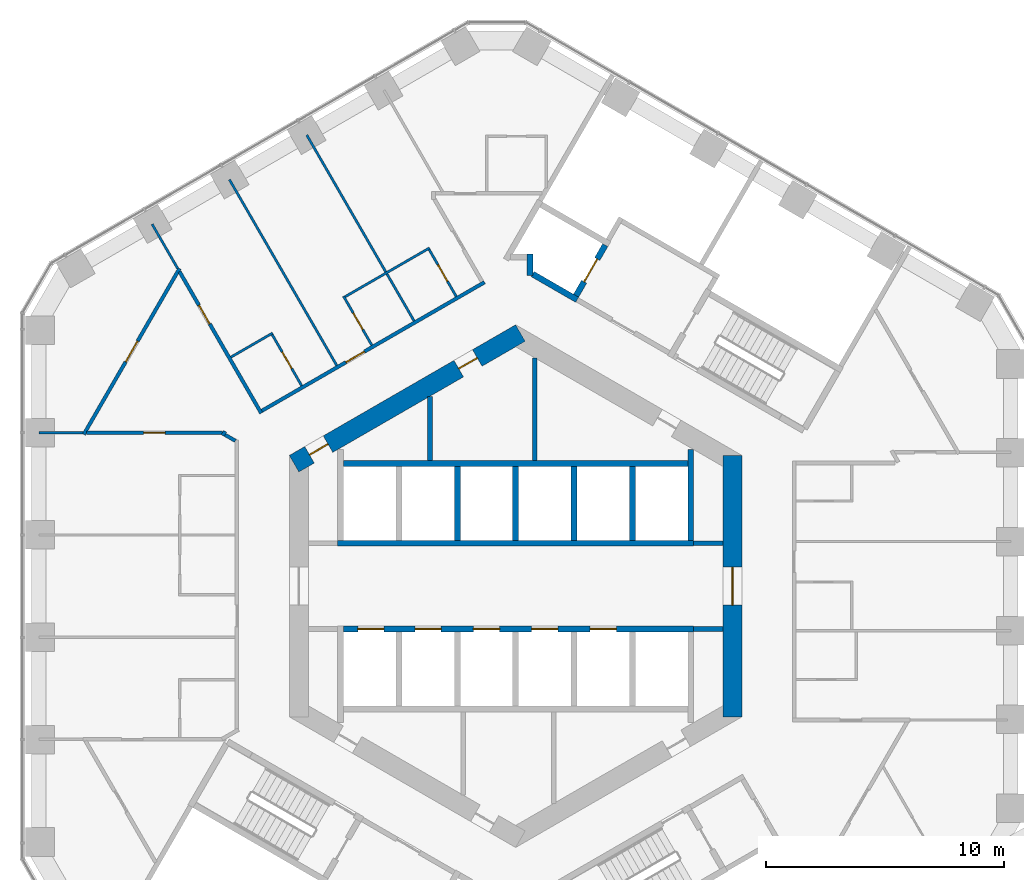
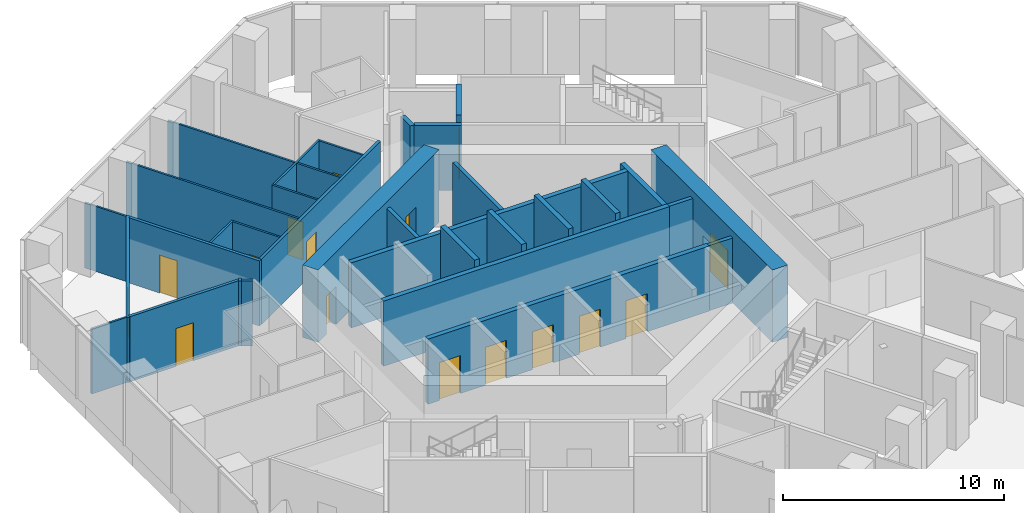
# One storey, part 20 of 27: 32 walls, 16 doors, 16 openings.
"""IFC4 building model written with IfcOpenShell, lengths in metres."""

from ifc_helpers import new_model, si_unit, direction, frame, frame_2d, origin, place, context, subcontext, project, spatial, rectangle, extrude, material, layer, layer_set, type_object, element, fill, save


model = new_model("IFC4")

# Units and contexts
model_context = context("Model", 3, precision=1e-05, world=origin(), true_north=direction((0.0, 1.0)))
body_context = subcontext(model_context, "Body", "Model", "MODEL_VIEW")
ifc_project = project(units=[si_unit("LENGTHUNIT", "METRE"), si_unit("AREAUNIT", "SQUARE_METRE"), si_unit("VOLUMEUNIT", "CUBIC_METRE"), si_unit("PLANEANGLEUNIT", "RADIAN"), si_unit("MASSUNIT", "GRAM", prefix="KILO")], contexts=[model_context])

# Site, building, storey
site_placement = place(None, origin())
site = spatial("IfcSite", under=ifc_project, at=site_placement, CompositionType="ELEMENT")
building_placement = place(site_placement, origin())
building = spatial("IfcBuilding", under=site, at=building_placement, Name="Ayvan Gate Tower", CompositionType="ELEMENT")
storey_placement = place(building_placement, frame((0.0, 0.0, 70.300048828125)))
storey = spatial("IfcBuildingStorey", under=building, at=storey_placement, Name="L18", CompositionType="ELEMENT", Elevation=70.300048828125)

# Wall, opening, door
ifc_material_1 = material(Name="Concrete C70/85", Category="concrete")
ifc_layer_1 = layer(ifc_material_1, 0.800048828125)
ifc_layer_set_1 = layer_set([ifc_layer_1], Name="Concrete C70/85")
wall_type_1 = type_object("IfcWallType", Name="Core wall 800 C70/85", PredefinedType="SHEAR", material=ifc_layer_set_1)
wall_1_placement = place(storey_placement, frame((9.10009765625, -5.48486328125, 0.0), z_axis=(0.0, 0.0, 1.0), x_axis=(0.0, 1.0, 0.0)))
wall_1 = element("IfcWall", 1, at=wall_1_placement, inside=storey, type_object=wall_type_1, Name="CORE-L18-0", PredefinedType="SHEAR", context=body_context, shape_type="SweptSolid", body=[
    extrude(rectangle(XDim=10.9697265625, YDim=0.800048828125, at=frame_2d((5.48486328125, 0.0))), origin(), (0.0, 0.0, 1.0), 4.0),
])
opening_1_placement = place(wall_1_placement, frame((4.684814453125, 0.0, 0.0)))
opening_1 = element("IfcOpeningElement", 2, at=opening_1_placement, cuts=wall_1, Name="Opening L18-D57", PredefinedType="OPENING", context=body_context, shape_type="SweptSolid", body=[
    extrude(rectangle(XDim=1.60009765625, YDim=2.10009765625, at=frame_2d((0.800048828125, 1.050048828125))), frame((0.0, 0.409912109375, 0.0), z_axis=(0.0, -1.0, 0.0), x_axis=(1.0, 0.0, 0.0)), (0.0, 0.0, 1.0), 0.820068359375),
])
ifc_material_2 = material(Name="Timber door leaf", Category="wood")
door_type_1 = type_object("IfcDoorType", Name="DT-1600", OperationType="NOTDEFINED", PredefinedType="DOOR", material=ifc_material_2)
door_1_placement = place(opening_1_placement, origin())
door_1 = element("IfcDoor", 3, at=door_1_placement, inside=storey, type_object=door_type_1, Name="CD-L18-57", OperationType="SINGLE_SWING_LEFT", OverallHeight=2.10009765625, OverallWidth=1.60009765625, PredefinedType="DOOR", context=body_context, shape_type="SweptSolid", body=[
    extrude(rectangle(XDim=1.60009765625, YDim=2.10009765625, at=frame_2d((0.800048828125, 1.050048828125))), frame((0.0, 0.02490234375, 0.0), z_axis=(0.0, -1.0, 0.0), x_axis=(1.0, 0.0, 0.0)), (0.0, 0.0, 1.0), 0.050048828125),
])
fill(opening_1, door_1)

# Wall, openings, doors
wall_2_placement = place(storey_placement, frame((0.199951171875, 10.623291015625, 0.0), z_axis=(0.0, 0.0, 1.0), x_axis=(-0.866023993627, -0.500002442456, 0.0)))
wall_2 = element("IfcWall", 4, at=wall_2_placement, inside=storey, type_object=wall_type_1, Name="CORE-L18-2", PredefinedType="SHEAR", context=body_context, shape_type="SweptSolid", body=[
    extrude(rectangle(XDim=10.9697265625, YDim=0.800048828125, at=frame_2d((5.48486328125, 0.0))), origin(), (0.0, 0.0, 1.0), 4.0),
])
opening_2_placement = place(wall_2_placement, frame((9.32470703125, 0.0, 0.0)))
opening_2 = element("IfcOpeningElement", 5, at=opening_2_placement, cuts=wall_2, Name="Opening L18-D51", PredefinedType="OPENING", context=body_context, shape_type="SweptSolid", body=[
    extrude(rectangle(XDim=0.89990234375, YDim=2.10009765625, at=frame_2d((0.449951171875, 1.050048828125))), frame((0.0, 0.409912109375, 0.0), z_axis=(0.0, -1.0, 0.0), x_axis=(1.0, 0.0, 0.0)), (0.0, 0.0, 1.0), 0.820068359375),
])
opening_3_placement = place(wall_2_placement, frame((2.0908203125, 0.0, 0.0)))
opening_3 = element("IfcOpeningElement", 6, at=opening_3_placement, cuts=wall_2, Name="Opening L18-D52", PredefinedType="OPENING", context=body_context, shape_type="SweptSolid", body=[
    extrude(rectangle(XDim=0.89990234375, YDim=2.10009765625, at=frame_2d((0.449951171875, 1.050048828125))), frame((0.0, 0.409912109375, 0.0), z_axis=(0.0, -1.0, 0.0), x_axis=(1.0, 0.0, 0.0)), (0.0, 0.0, 1.0), 0.820068359375),
])
door_type_2 = type_object("IfcDoorType", Name="DT-900", OperationType="NOTDEFINED", PredefinedType="DOOR", material=ifc_material_2)
door_2_placement = place(opening_2_placement, origin())
door_2 = element("IfcDoor", 7, at=door_2_placement, inside=storey, type_object=door_type_2, Name="CD-L18-51", OperationType="SINGLE_SWING_LEFT", OverallHeight=2.10009765625, OverallWidth=0.89990234375, PredefinedType="DOOR", context=body_context, shape_type="SweptSolid", body=[
    extrude(rectangle(XDim=0.89990234375, YDim=2.10009765625, at=frame_2d((0.449951171875, 1.050048828125))), frame((0.0, 0.02490234375, 0.0), z_axis=(0.0, -1.0, 0.0), x_axis=(1.0, 0.0, 0.0)), (0.0, 0.0, 1.0), 0.050048828125),
])
fill(opening_2, door_2)
door_3_placement = place(opening_3_placement, origin())
door_3 = element("IfcDoor", 8, at=door_3_placement, inside=storey, type_object=door_type_2, Name="CD-L18-52", OperationType="SINGLE_SWING_RIGHT", OverallHeight=2.10009765625, OverallWidth=0.89990234375, PredefinedType="DOOR", context=body_context, shape_type="SweptSolid", body=[
    extrude(rectangle(XDim=0.89990234375, YDim=2.10009765625, at=frame_2d((0.449951171875, 1.050048828125))), frame((0.0, 0.02490234375, 0.0), z_axis=(0.0, -1.0, 0.0), x_axis=(1.0, 0.0, 0.0)), (0.0, 0.0, 1.0), 0.050048828125),
])
fill(opening_3, door_3)

# Wall, opening, door
ifc_material_3 = material(Name="Plasterboard on steel stud", Category="steel")
ifc_layer_2 = layer(ifc_material_3, 0.14990234375)
ifc_layer_set_2 = layer_set([ifc_layer_2], Name="Plasterboard on steel stud")
wall_type_2 = type_object("IfcWallType", Name="WT-CORR-150", PredefinedType="PARTITIONING", material=ifc_layer_set_2)
wall_3_placement = place(storey_placement, frame((-18.1298828125, 6.36669921875, 0.0), z_axis=(0.0, 0.0, 1.0), x_axis=(0.499982653806, 0.866035418383, 0.0)))
wall_3 = element("IfcWall", 9, at=wall_3_placement, inside=storey, type_object=wall_type_2, Name="IW-L18-001", PredefinedType="PARTITIONING", context=body_context, shape_type="SweptSolid", body=[
    extrude(rectangle(XDim=8.040771484375, YDim=0.14990234375, at=frame_2d((4.0205078125, 0.0))), origin(), (0.0, 0.0, 1.0), 3.599853515625),
])
opening_4_placement = place(wall_3_placement, frame((3.5205078125, 0.0, 0.0)))
opening_4 = element("IfcOpeningElement", 10, at=opening_4_placement, cuts=wall_3, Name="Opening L18-D26", PredefinedType="OPENING", context=body_context, shape_type="SweptSolid", body=[
    extrude(rectangle(XDim=1.0, YDim=2.10009765625, at=frame_2d((0.5, 1.050048828125))), frame((0.0, 0.0849609375, 0.0), z_axis=(0.0, -1.0, 0.0), x_axis=(1.0, 0.0, 0.0)), (0.0, 0.0, 1.0), 0.169921875),
])
door_type_3 = type_object("IfcDoorType", Name="DT-1000", OperationType="NOTDEFINED", PredefinedType="DOOR", material=ifc_material_2)
door_4_placement = place(opening_4_placement, origin())
door_4 = element("IfcDoor", 11, at=door_4_placement, inside=storey, type_object=door_type_3, Name="ID-L18-026", OperationType="SINGLE_SWING_RIGHT", OverallHeight=2.10009765625, OverallWidth=1.0, PredefinedType="DOOR", context=body_context, shape_type="SweptSolid", body=[
    extrude(rectangle(XDim=1.0, YDim=2.10009765625, at=frame_2d((0.5, 1.050048828125))), frame((0.0, 0.02490234375, 0.0), z_axis=(0.0, -1.0, 0.0), x_axis=(1.0, 0.0, 0.0)), (0.0, 0.0, 1.0), 0.050048828125),
])
fill(opening_4, door_4)

wall_4_placement = place(storey_placement, frame((-14.109619140625, 13.200439453125, 0.0), z_axis=(0.0, 0.0, 1.0), x_axis=(0.500007857356, -0.866020867291, 0.0)))
wall_4 = element("IfcWall", 12, at=wall_4_placement, inside=storey, type_object=wall_type_2, Name="IW-L18-007", PredefinedType="PARTITIONING", context=body_context, shape_type="SweptSolid", body=[
    extrude(rectangle(XDim=6.86181640625, YDim=0.14990234375, at=frame_2d((3.430908203125, 0.0))), origin(), (0.0, 0.0, 1.0), 3.599853515625),
])
opening_5_placement = place(wall_4_placement, frame((1.62841796875, 0.0, 0.0)))
opening_5 = element("IfcOpeningElement", 13, at=opening_5_placement, cuts=wall_4, Name="Opening L18-D38", PredefinedType="OPENING", context=body_context, shape_type="SweptSolid", body=[
    extrude(rectangle(XDim=0.89990234375, YDim=2.10009765625, at=frame_2d((0.449951171875, 1.050048828125))), frame((0.0, 0.0849609375, 0.0), z_axis=(0.0, -1.0, 0.0), x_axis=(1.0, 0.0, 0.0)), (0.0, 0.0, 1.0), 0.169921875),
])
door_5_placement = place(opening_5_placement, origin())
door_5 = element("IfcDoor", 14, at=door_5_placement, inside=storey, type_object=door_type_2, Name="ID-L18-038", OperationType="SINGLE_SWING_RIGHT", OverallHeight=2.10009765625, OverallWidth=0.89990234375, PredefinedType="DOOR", context=body_context, shape_type="SweptSolid", body=[
    extrude(rectangle(XDim=0.89990234375, YDim=2.10009765625, at=frame_2d((0.449951171875, 1.050048828125))), frame((0.0, 0.02490234375, 0.0), z_axis=(0.0, -1.0, 0.0), x_axis=(1.0, 0.0, 0.0)), (0.0, 0.0, 1.0), 0.050048828125),
])
fill(opening_5, door_5)

# Wall
wall_5_placement = place(storey_placement, frame((-12.29736328125, 6.3203125, 0.0), z_axis=(0.0, 0.0, 1.0), x_axis=(0.500137716533, 0.865945878506, 0.0)))
element("IfcWall", 15, at=wall_5_placement, inside=storey, type_object=wall_type_2, Name="IW-L18-013", PredefinedType="PARTITIONING", context=body_context, shape_type="SweptSolid", body=[
    extrude(rectangle(XDim=0.20361328125, YDim=0.14990234375, at=frame_2d((0.101806640625, 0.0))), origin(), (0.0, 0.0, 1.0), 3.599853515625),
])

# Wall, opening, door
wall_6_placement = place(storey_placement, frame((-12.30810546875, 6.431640625, 0.0), z_axis=(0.0, 0.0, 1.0), x_axis=(-1.0, 0.0, 0.0)))
wall_6 = element("IfcWall", 16, at=wall_6_placement, inside=storey, type_object=wall_type_2, Name="IW-L18-016", PredefinedType="PARTITIONING", context=body_context, shape_type="SweptSolid", body=[
    extrude(rectangle(XDim=5.70947265625, YDim=0.14990234375, at=frame_2d((2.854736328125, 0.0))), origin(), (0.0, 0.0, 1.0), 3.599853515625),
])
opening_6_placement = place(wall_6_placement, frame((2.40478515625, 0.0, 0.0)))
opening_6 = element("IfcOpeningElement", 17, at=opening_6_placement, cuts=wall_6, Name="Opening L18-D27", PredefinedType="OPENING", context=body_context, shape_type="SweptSolid", body=[
    extrude(rectangle(XDim=0.89990234375, YDim=2.10009765625, at=frame_2d((0.449951171875, 1.050048828125))), frame((0.0, 0.0849609375, 0.0), z_axis=(0.0, -1.0, 0.0), x_axis=(1.0, 0.0, 0.0)), (0.0, 0.0, 1.0), 0.169921875),
])
door_6_placement = place(opening_6_placement, origin())
door_6 = element("IfcDoor", 18, at=door_6_placement, inside=storey, type_object=door_type_2, Name="ID-L18-027", OperationType="SINGLE_SWING_LEFT", OverallHeight=2.10009765625, OverallWidth=0.89990234375, PredefinedType="DOOR", context=body_context, shape_type="SweptSolid", body=[
    extrude(rectangle(XDim=0.89990234375, YDim=2.10009765625, at=frame_2d((0.449951171875, 1.050048828125))), frame((0.0, 0.02490234375, 0.0), z_axis=(0.0, -1.0, 0.0), x_axis=(1.0, 0.0, 0.0)), (0.0, 0.0, 1.0), 0.050048828125),
])
fill(opening_6, door_6)

# Wall
wall_7_placement = place(storey_placement, frame((-11.764892578125, 6.099609375, 0.0), z_axis=(0.0, 0.0, 1.0), x_axis=(-0.865964461276, 0.500105540669, 0.0)))
element("IfcWall", 19, at=wall_7_placement, inside=storey, type_object=wall_type_2, Name="IW-L18-022", PredefinedType="PARTITIONING", context=body_context, shape_type="SweptSolid", body=[
    extrude(rectangle(XDim=0.49658203125, YDim=0.14990234375, at=frame_2d((0.248291015625, 0.0))), origin(), (0.0, 0.0, 1.0), 3.599853515625),
])

# Wall, opening, door
wall_8_placement = place(storey_placement, frame((-10.651123046875, 7.360595703125, 0.0), z_axis=(0.0, 0.0, 1.0), x_axis=(0.866029938532, 0.499992145504, 0.0)))
wall_8 = element("IfcWall", 20, at=wall_8_placement, inside=storey, type_object=wall_type_2, Name="IW-L18-024", PredefinedType="PARTITIONING", context=body_context, shape_type="SweptSolid", body=[
    extrude(rectangle(XDim=10.787841796875, YDim=0.14990234375, at=frame_2d((5.39404296875, 0.0))), origin(), (0.0, 0.0, 1.0), 3.599853515625),
])
opening_7_placement = place(wall_8_placement, frame((4.071044921875, 0.0, 0.0)))
opening_7 = element("IfcOpeningElement", 21, at=opening_7_placement, cuts=wall_8, Name="Opening L18-D36", PredefinedType="OPENING", context=body_context, shape_type="SweptSolid", body=[
    extrude(rectangle(XDim=0.89990234375, YDim=2.10009765625, at=frame_2d((0.449951171875, 1.050048828125))), frame((0.0, 0.0849609375, 0.0), z_axis=(0.0, -1.0, 0.0), x_axis=(1.0, 0.0, 0.0)), (0.0, 0.0, 1.0), 0.169921875),
])
door_7_placement = place(opening_7_placement, origin())
door_7 = element("IfcDoor", 22, at=door_7_placement, inside=storey, type_object=door_type_2, Name="ID-L18-036", OperationType="SINGLE_SWING_RIGHT", OverallHeight=2.10009765625, OverallWidth=0.89990234375, PredefinedType="DOOR", context=body_context, shape_type="SweptSolid", body=[
    extrude(rectangle(XDim=0.89990234375, YDim=2.10009765625, at=frame_2d((0.449951171875, 1.050048828125))), frame((0.0, 0.02490234375, 0.0), z_axis=(0.0, -1.0, 0.0), x_axis=(1.0, 0.0, 0.0)), (0.0, 0.0, 1.0), 0.050048828125),
])
fill(opening_7, door_7)

# Walls
ifc_layer_3 = layer(ifc_material_3, 0.10009765625)
ifc_layer_set_3 = layer_set([ifc_layer_3], Name="Plasterboard on steel stud")
wall_type_3 = type_object("IfcWallType", Name="WT-PART-100", PredefinedType="PARTITIONING", material=ifc_layer_set_3)
wall_9_placement = place(storey_placement, frame((-18.16748046875, 6.431640625, 0.0), z_axis=(0.0, 0.0, 1.0), x_axis=(-1.0, 0.0, 0.0)))
element("IfcWall", 23, at=wall_9_placement, inside=storey, type_object=wall_type_3, Name="IW-L18-000", PredefinedType="PARTITIONING", context=body_context, shape_type="SweptSolid", body=[
    extrude(rectangle(XDim=1.835205078125, YDim=0.10009765625, at=frame_2d((0.91748046875, 0.0))), origin(), (0.0, 0.0, 1.0), 3.599853515625),
])
wall_10_placement = place(storey_placement, frame((-15.258544921875, 15.1904296875, 0.0), z_axis=(0.0, 0.0, 1.0), x_axis=(0.500014347272, -0.866017120224, 0.0)))
element("IfcWall", 24, at=wall_10_placement, inside=storey, type_object=wall_type_3, Name="IW-L18-005", PredefinedType="PARTITIONING", context=body_context, shape_type="SweptSolid", body=[
    extrude(rectangle(XDim=2.14794921875, YDim=0.10009765625, at=frame_2d((1.073974609375, 0.0))), origin(), (0.0, 0.0, 1.0), 3.599853515625),
])
wall_11_placement = place(storey_placement, frame((-10.200927734375, 10.622802734375, 0.0), z_axis=(0.0, 0.0, 1.0), x_axis=(-0.866026663364, -0.499997818338, 0.0)))
element("IfcWall", 25, at=wall_11_placement, inside=storey, type_object=wall_type_3, Name="IW-L18-025", PredefinedType="PARTITIONING", context=body_context, shape_type="SweptSolid", body=[
    extrude(rectangle(XDim=2.02099609375, YDim=0.10009765625, at=frame_2d((1.010498046875, 0.0))), origin(), (0.0, 0.0, 1.0), 3.599853515625),
])

# Wall, opening, door
wall_12_placement = place(storey_placement, frame((-8.981689453125, 8.410888671875, 0.0), z_axis=(0.0, 0.0, 1.0), x_axis=(-0.4999899861, 0.866031185235, 0.0)))
wall_12 = element("IfcWall", 26, at=wall_12_placement, inside=storey, type_object=wall_type_3, Name="IW-L18-026", PredefinedType="PARTITIONING", context=body_context, shape_type="SweptSolid", body=[
    extrude(rectangle(XDim=2.47509765625, YDim=0.10009765625, at=frame_2d((1.237548828125, 0.0))), origin(), (0.0, 0.0, 1.0), 3.599853515625),
])
opening_8_placement = place(wall_12_placement, frame((0.83740234375, 0.0, 0.0)))
opening_8 = element("IfcOpeningElement", 27, at=opening_8_placement, cuts=wall_12, Name="Opening L18-D39", PredefinedType="OPENING", context=body_context, shape_type="SweptSolid", body=[
    extrude(rectangle(XDim=0.800048828125, YDim=2.10009765625, at=frame_2d((0.39990234375, 1.050048828125))), frame((0.0, 0.06005859375, 0.0), z_axis=(0.0, -1.0, 0.0), x_axis=(1.0, 0.0, 0.0)), (0.0, 0.0, 1.0), 0.1201171875),
])
door_type_4 = type_object("IfcDoorType", Name="DT-800", OperationType="NOTDEFINED", PredefinedType="DOOR", material=ifc_material_2)
door_8_placement = place(opening_8_placement, origin())
door_8 = element("IfcDoor", 28, at=door_8_placement, inside=storey, type_object=door_type_4, Name="ID-L18-039", OperationType="SINGLE_SWING_LEFT", OverallHeight=2.10009765625, OverallWidth=0.800048828125, PredefinedType="DOOR", context=body_context, shape_type="SweptSolid", body=[
    extrude(rectangle(XDim=0.800048828125, YDim=2.10009765625, at=frame_2d((0.39990234375, 1.050048828125))), frame((0.0, 0.02490234375, 0.0), z_axis=(0.0, -1.0, 0.0), x_axis=(1.0, 0.0, 0.0)), (0.0, 0.0, 1.0), 0.050048828125),
])
fill(opening_8, door_8)

# Wall
wall_13_placement = place(storey_placement, frame((-7.509521484375, 9.260986328125, 0.0), z_axis=(0.0, 0.0, 1.0), x_axis=(-0.500009404554, 0.866019973994, 0.0)))
element("IfcWall", 29, at=wall_13_placement, inside=storey, type_object=wall_type_3, Name="IW-L18-032", PredefinedType="PARTITIONING", context=body_context, shape_type="SweptSolid", body=[
    extrude(rectangle(XDim=9.009521484375, YDim=0.10009765625, at=frame_2d((4.5048828125, 0.0))), origin(), (0.0, 0.0, 1.0), 3.599853515625),
])

# Wall, opening, door
wall_14_placement = place(storey_placement, frame((-7.224853515625, 12.167724609375, 0.0), z_axis=(0.0, 0.0, 1.0), x_axis=(0.500030943131, -0.866007538022, 0.0)))
wall_14 = element("IfcWall", 30, at=wall_14_placement, inside=storey, type_object=wall_type_3, Name="IW-L18-038", PredefinedType="PARTITIONING", context=body_context, shape_type="SweptSolid", body=[
    extrude(rectangle(XDim=2.374755859375, YDim=0.10009765625, at=frame_2d((1.1875, 0.0))), origin(), (0.0, 0.0, 1.0), 3.599853515625),
])
opening_9_placement = place(wall_14_placement, frame((0.8125, 0.0, 0.0)))
opening_9 = element("IfcOpeningElement", 31, at=opening_9_placement, cuts=wall_14, Name="Opening L18-D37", PredefinedType="OPENING", context=body_context, shape_type="SweptSolid", body=[
    extrude(rectangle(XDim=0.800048828125, YDim=2.10009765625, at=frame_2d((0.39990234375, 1.050048828125))), frame((0.0, 0.06005859375, 0.0), z_axis=(0.0, -1.0, 0.0), x_axis=(1.0, 0.0, 0.0)), (0.0, 0.0, 1.0), 0.1201171875),
])
door_9_placement = place(opening_9_placement, origin())
door_9 = element("IfcDoor", 32, at=door_9_placement, inside=storey, type_object=door_type_4, Name="ID-L18-037", OperationType="SINGLE_SWING_LEFT", OverallHeight=2.10009765625, OverallWidth=0.800048828125, PredefinedType="DOOR", context=body_context, shape_type="SweptSolid", body=[
    extrude(rectangle(XDim=0.800048828125, YDim=2.10009765625, at=frame_2d((0.39990234375, 1.050048828125))), frame((0.0, 0.02490234375, 0.0), z_axis=(0.0, -1.0, 0.0), x_axis=(1.0, 0.0, 0.0)), (0.0, 0.0, 1.0), 0.050048828125),
])
fill(opening_9, door_9)

# Walls
wall_15_placement = place(storey_placement, frame((-7.156494140625, 12.1494140625, 0.0), z_axis=(0.0, 0.0, 1.0), x_axis=(0.866005746929, 0.500034045127, 0.0)))
element("IfcWall", 33, at=wall_15_placement, inside=storey, type_object=wall_type_3, Name="IW-L18-041", PredefinedType="PARTITIONING", context=body_context, shape_type="SweptSolid", body=[
    extrude(rectangle(XDim=4.092041015625, YDim=0.10009765625, at=frame_2d((2.0458984375, 0.0))), origin(), (0.0, 0.0, 1.0), 3.599853515625),
])
wall_16_placement = place(storey_placement, frame((-8.770263671875, 18.9365234375, 0.0), z_axis=(0.0, 0.0, 1.0), x_axis=(0.499997670926, -0.866026748472, 0.0)))
element("IfcWall", 34, at=wall_16_placement, inside=storey, type_object=wall_type_3, Name="IW-L18-042", PredefinedType="PARTITIONING", context=body_context, shape_type="SweptSolid", body=[
    extrude(rectangle(XDim=9.009765625, YDim=0.10009765625, at=frame_2d((4.5048828125, 0.0))), origin(), (0.0, 0.0, 1.0), 3.599853515625),
])

# Wall, opening, door
wall_17_placement = place(storey_placement, frame((-2.49365234375, 12.156982421875, 0.0), z_axis=(0.0, 0.0, 1.0), x_axis=(-0.499982560684, 0.866035472144, 0.0)))
wall_17 = element("IfcWall", 35, at=wall_17_placement, inside=storey, type_object=wall_type_3, Name="IW-L18-054", PredefinedType="PARTITIONING", context=body_context, shape_type="SweptSolid", body=[
    extrude(rectangle(XDim=2.27490234375, YDim=0.10009765625, at=frame_2d((1.137451171875, 0.0))), origin(), (0.0, 0.0, 1.0), 3.599853515625),
])
opening_10_placement = place(wall_17_placement, frame((0.737548828125, 0.0, 0.0)))
opening_10 = element("IfcOpeningElement", 36, at=opening_10_placement, cuts=wall_17, Name="Opening L18-D35", PredefinedType="OPENING", context=body_context, shape_type="SweptSolid", body=[
    extrude(rectangle(XDim=0.800048828125, YDim=2.10009765625, at=frame_2d((0.39990234375, 1.050048828125))), frame((0.0, 0.06005859375, 0.0), z_axis=(0.0, -1.0, 0.0), x_axis=(1.0, 0.0, 0.0)), (0.0, 0.0, 1.0), 0.1201171875),
])
door_10_placement = place(opening_10_placement, origin())
door_10 = element("IfcDoor", 37, at=door_10_placement, inside=storey, type_object=door_type_4, Name="ID-L18-035", OperationType="SINGLE_SWING_LEFT", OverallHeight=2.10009765625, OverallWidth=0.800048828125, PredefinedType="DOOR", context=body_context, shape_type="SweptSolid", body=[
    extrude(rectangle(XDim=0.800048828125, YDim=2.10009765625, at=frame_2d((0.39990234375, 1.050048828125))), frame((0.0, 0.02490234375, 0.0), z_axis=(0.0, -1.0, 0.0), x_axis=(1.0, 0.0, 0.0)), (0.0, 0.0, 1.0), 0.050048828125),
])
fill(opening_10, door_10)

# Walls
ifc_layer_4 = layer(ifc_material_3, 0.199951171875)
ifc_layer_set_4 = layer_set([ifc_layer_4], Name="Plasterboard on steel stud")
wall_type_4 = type_object("IfcWallType", Name="WT-RATED-200", PredefinedType="PARTITIONING", material=ifc_layer_set_4)
wall_18_placement = place(storey_placement, frame((-3.60009765625, 7.96728515625, 0.0), z_axis=(0.0, 0.0, 1.0), x_axis=(0.0, -1.0, 0.0)))
element("IfcWall", 38, at=wall_18_placement, inside=storey, type_object=wall_type_4, Name="IW-L18-048", PredefinedType="PARTITIONING", context=body_context, shape_type="SweptSolid", body=[
    extrude(rectangle(XDim=2.6923828125, YDim=0.199951171875, at=frame_2d((1.34619140625, 0.0))), origin(), (0.0, 0.0, 1.0), 3.599853515625),
])
wall_19_placement = place(storey_placement, frame((0.800048828125, 9.583984375, 0.0), z_axis=(0.0, 0.0, 1.0), x_axis=(0.0, -1.0, 0.0)))
element("IfcWall", 39, at=wall_19_placement, inside=storey, type_object=wall_type_4, Name="IW-L18-071", PredefinedType="PARTITIONING", context=body_context, shape_type="SweptSolid", body=[
    extrude(rectangle(XDim=4.30908203125, YDim=0.199951171875, at=frame_2d((2.154541015625, 0.0))), origin(), (0.0, 0.0, 1.0), 3.599853515625),
])
for number, where, z_axis, x_axis, name in (
    (40, (7.474853515625, 1.800048828125, 0.0), (0.0, 0.0, 1.0), (1.0, 0.0, 0.0), "IW-L18-099"),
    (41, (8.699951171875, -1.800048828125, 0.0), (0.0, 0.0, 1.0), (-1.0, 0.0, 0.0), "IW-L18-105"),
):
    element("IfcWall", number, at=place(storey_placement, frame(where, z_axis=z_axis, x_axis=x_axis)), inside=storey, type_object=wall_type_4, Name=name, PredefinedType="PARTITIONING", context=body_context, shape_type="SweptSolid", body=[
        extrude(rectangle(XDim=1.22509765625, YDim=0.199951171875, at=frame_2d((0.612548828125, 0.0))), origin(), (0.0, 0.0, 1.0), 3.599853515625),
    ])
ifc_material_4 = material(Name="Concrete C50/60", Category="concrete")
ifc_layer_5 = layer(ifc_material_4, 0.25)
ifc_layer_set_5 = layer_set([ifc_layer_5], Name="Concrete C50/60")
wall_type_5 = type_object("IfcWallType", Name="WT-RC-250", PredefinedType="SHEAR", material=ifc_layer_set_5)
wall_20_placement = place(storey_placement, frame((-7.47509765625, 1.800048828125, 0.0), z_axis=(0.0, 0.0, 1.0), x_axis=(1.0, 0.0, 0.0)))
element("IfcWall", 42, at=wall_20_placement, inside=storey, type_object=wall_type_5, Name="IW-L18-033", PredefinedType="SHEAR", context=body_context, shape_type="SweptSolid", body=[
    extrude(rectangle(XDim=14.9501953125, YDim=0.25, at=frame_2d((7.47509765625, 0.0))), origin(), (0.0, 0.0, 1.0), 3.599853515625),
])
wall_21_placement = place(storey_placement, frame((-7.22509765625, 5.14990234375, 0.0), z_axis=(0.0, 0.0, 1.0), x_axis=(1.0, 0.0, 0.0)))
element("IfcWall", 43, at=wall_21_placement, inside=storey, type_object=wall_type_5, Name="IW-L18-036", PredefinedType="SHEAR", context=body_context, shape_type="SweptSolid", body=[
    extrude(rectangle(XDim=14.7001953125, YDim=0.25, at=frame_2d((7.35009765625, 0.0))), origin(), (0.0, 0.0, 1.0), 3.599853515625),
])

# Wall, openings, doors
wall_22_placement = place(storey_placement, frame((-7.22509765625, -1.800048828125, 0.0), z_axis=(0.0, 0.0, 1.0), x_axis=(1.0, 0.0, 0.0)))
wall_22 = element("IfcWall", 44, at=wall_22_placement, inside=storey, type_object=wall_type_5, Name="IW-L18-046", PredefinedType="SHEAR", context=body_context, shape_type="SweptSolid", body=[
    extrude(rectangle(XDim=14.7001953125, YDim=0.25, at=frame_2d((7.35009765625, 0.0))), origin(), (0.0, 0.0, 1.0), 3.599853515625),
])
opening_11_placement = place(wall_22_placement, frame((0.597412109375, 0.0, 0.0)))
opening_11 = element("IfcOpeningElement", 45, at=opening_11_placement, cuts=wall_22, Name="Opening L18-LD-LR1", PredefinedType="OPENING", context=body_context, shape_type="SweptSolid", body=[
    extrude(rectangle(XDim=1.10009765625, YDim=2.10009765625, at=frame_2d((0.550048828125, 1.050048828125))), frame((0.0, 0.135009765625, 0.0), z_axis=(0.0, -1.0, 0.0), x_axis=(1.0, 0.0, 0.0)), (0.0, 0.0, 1.0), 0.27001953125),
])
opening_12_placement = place(wall_22_placement, frame((3.0, 0.0, 0.0)))
opening_12 = element("IfcOpeningElement", 46, at=opening_12_placement, cuts=wall_22, Name="Opening L18-LD-LR2", PredefinedType="OPENING", context=body_context, shape_type="SweptSolid", body=[
    extrude(rectangle(XDim=1.10009765625, YDim=2.10009765625, at=frame_2d((0.550048828125, 1.050048828125))), frame((0.0, 0.135009765625, 0.0), z_axis=(0.0, -1.0, 0.0), x_axis=(1.0, 0.0, 0.0)), (0.0, 0.0, 1.0), 0.27001953125),
])
opening_13_placement = place(wall_22_placement, frame((5.4501953125, 0.0, 0.0)))
opening_13 = element("IfcOpeningElement", 47, at=opening_13_placement, cuts=wall_22, Name="Opening L18-LD-LR3", PredefinedType="OPENING", context=body_context, shape_type="SweptSolid", body=[
    extrude(rectangle(XDim=1.10009765625, YDim=2.10009765625, at=frame_2d((0.550048828125, 1.050048828125))), frame((0.0, 0.135009765625, 0.0), z_axis=(0.0, -1.0, 0.0), x_axis=(1.0, 0.0, 0.0)), (0.0, 0.0, 1.0), 0.27001953125),
])
opening_14_placement = place(wall_22_placement, frame((7.900146484375, 0.0, 0.0)))
opening_14 = element("IfcOpeningElement", 48, at=opening_14_placement, cuts=wall_22, Name="Opening L18-LD-LR4", PredefinedType="OPENING", context=body_context, shape_type="SweptSolid", body=[
    extrude(rectangle(XDim=1.10009765625, YDim=2.10009765625, at=frame_2d((0.550048828125, 1.050048828125))), frame((0.0, 0.135009765625, 0.0), z_axis=(0.0, -1.0, 0.0), x_axis=(1.0, 0.0, 0.0)), (0.0, 0.0, 1.0), 0.27001953125),
])
opening_15_placement = place(wall_22_placement, frame((10.35009765625, 0.0, 0.0)))
opening_15 = element("IfcOpeningElement", 49, at=opening_15_placement, cuts=wall_22, Name="Opening L18-LD-SV", PredefinedType="OPENING", context=body_context, shape_type="SweptSolid", body=[
    extrude(rectangle(XDim=1.10009765625, YDim=2.10009765625, at=frame_2d((0.550048828125, 1.050048828125))), frame((0.0, 0.135009765625, 0.0), z_axis=(0.0, -1.0, 0.0), x_axis=(1.0, 0.0, 0.0)), (0.0, 0.0, 1.0), 0.27001953125),
])
ifc_material_5 = material(Name="Stainless steel landing door", Category="steel")
door_type_5 = type_object("IfcDoorType", Name="DT-LANDING-1100", OperationType="SLIDING_TO_LEFT", PredefinedType="DOOR", material=ifc_material_5)
door_11_placement = place(opening_11_placement, origin())
door_11 = element("IfcDoor", 50, at=door_11_placement, inside=storey, type_object=door_type_5, Name="ID-L18-001", OperationType="SLIDING_TO_LEFT", OverallHeight=2.10009765625, OverallWidth=1.10009765625, PredefinedType="DOOR", context=body_context, shape_type="SweptSolid", body=[
    extrude(rectangle(XDim=1.10009765625, YDim=2.10009765625, at=frame_2d((0.550048828125, 1.050048828125))), frame((0.0, 0.02490234375, 0.0), z_axis=(0.0, -1.0, 0.0), x_axis=(1.0, 0.0, 0.0)), (0.0, 0.0, 1.0), 0.050048828125),
])
fill(opening_11, door_11)
door_12_placement = place(opening_12_placement, origin())
door_12 = element("IfcDoor", 51, at=door_12_placement, inside=storey, type_object=door_type_5, Name="ID-L18-002", OperationType="SLIDING_TO_LEFT", OverallHeight=2.10009765625, OverallWidth=1.10009765625, PredefinedType="DOOR", context=body_context, shape_type="SweptSolid", body=[
    extrude(rectangle(XDim=1.10009765625, YDim=2.10009765625, at=frame_2d((0.550048828125, 1.050048828125))), frame((0.0, 0.02490234375, 0.0), z_axis=(0.0, -1.0, 0.0), x_axis=(1.0, 0.0, 0.0)), (0.0, 0.0, 1.0), 0.050048828125),
])
fill(opening_12, door_12)
door_13_placement = place(opening_13_placement, origin())
door_13 = element("IfcDoor", 52, at=door_13_placement, inside=storey, type_object=door_type_5, Name="ID-L18-003", OperationType="SLIDING_TO_LEFT", OverallHeight=2.10009765625, OverallWidth=1.10009765625, PredefinedType="DOOR", context=body_context, shape_type="SweptSolid", body=[
    extrude(rectangle(XDim=1.10009765625, YDim=2.10009765625, at=frame_2d((0.550048828125, 1.050048828125))), frame((0.0, 0.02490234375, 0.0), z_axis=(0.0, -1.0, 0.0), x_axis=(1.0, 0.0, 0.0)), (0.0, 0.0, 1.0), 0.050048828125),
])
fill(opening_13, door_13)
door_14_placement = place(opening_14_placement, origin())
door_14 = element("IfcDoor", 53, at=door_14_placement, inside=storey, type_object=door_type_5, Name="ID-L18-004", OperationType="SLIDING_TO_LEFT", OverallHeight=2.10009765625, OverallWidth=1.10009765625, PredefinedType="DOOR", context=body_context, shape_type="SweptSolid", body=[
    extrude(rectangle(XDim=1.10009765625, YDim=2.10009765625, at=frame_2d((0.550048828125, 1.050048828125))), frame((0.0, 0.02490234375, 0.0), z_axis=(0.0, -1.0, 0.0), x_axis=(1.0, 0.0, 0.0)), (0.0, 0.0, 1.0), 0.050048828125),
])
fill(opening_14, door_14)
door_15_placement = place(opening_15_placement, origin())
door_15 = element("IfcDoor", 54, at=door_15_placement, inside=storey, type_object=door_type_5, Name="ID-L18-005", OperationType="SLIDING_TO_LEFT", OverallHeight=2.10009765625, OverallWidth=1.10009765625, PredefinedType="DOOR", context=body_context, shape_type="SweptSolid", body=[
    extrude(rectangle(XDim=1.10009765625, YDim=2.10009765625, at=frame_2d((0.550048828125, 1.050048828125))), frame((0.0, 0.02490234375, 0.0), z_axis=(0.0, -1.0, 0.0), x_axis=(1.0, 0.0, 0.0)), (0.0, 0.0, 1.0), 0.050048828125),
])
fill(opening_15, door_15)

# Walls
for number, where, z_axis, x_axis, name in (
    (55, (-2.449951171875, 5.02490234375, 0.0), (0.0, 0.0, 1.0), (0.0, -1.0, 0.0), "IW-L18-056"),
    (56, (0.0, 5.02490234375, 0.0), (0.0, 0.0, 1.0), (0.0, -1.0, 0.0), "IW-L18-068"),
):
    element("IfcWall", number, at=place(storey_placement, frame(where, z_axis=z_axis, x_axis=x_axis)), inside=storey, type_object=wall_type_5, Name=name, PredefinedType="SHEAR", context=body_context, shape_type="SweptSolid", body=[
        extrude(rectangle(XDim=3.099853515625, YDim=0.25, at=frame_2d((1.5498046875, 0.0))), origin(), (0.0, 0.0, 1.0), 4.0),
    ])
wall_23_placement = place(storey_placement, frame((0.60009765625, 13.03857421875, 0.0), z_axis=(0.0, 0.0, 1.0), x_axis=(0.0, 1.0, 0.0)))
element("IfcWall", 57, at=wall_23_placement, inside=storey, type_object=wall_type_5, Name="IW-L18-069", PredefinedType="SHEAR", context=body_context, shape_type="SweptSolid", body=[
    extrude(rectangle(XDim=0.896484375, YDim=0.25, at=frame_2d((0.4482421875, 0.0))), origin(), (0.0, 0.0, 1.0), 3.599853515625),
])
wall_24_placement = place(storey_placement, frame((2.449951171875, 5.02490234375, 0.0), z_axis=(0.0, 0.0, 1.0), x_axis=(0.0, -1.0, 0.0)))
element("IfcWall", 58, at=wall_24_placement, inside=storey, type_object=wall_type_5, Name="IW-L18-079", PredefinedType="SHEAR", context=body_context, shape_type="SweptSolid", body=[
    extrude(rectangle(XDim=3.099853515625, YDim=0.25, at=frame_2d((1.5498046875, 0.0))), origin(), (0.0, 0.0, 1.0), 4.0),
])
wall_25_placement = place(storey_placement, frame((2.580810546875, 12.02001953125, 0.0), z_axis=(0.0, 0.0, 1.0), x_axis=(-0.86603892542, 0.499976579108, 0.0)))
element("IfcWall", 59, at=wall_25_placement, inside=storey, type_object=wall_type_5, Name="IW-L18-080", PredefinedType="SHEAR", context=body_context, shape_type="SweptSolid", body=[
    extrude(rectangle(XDim=2.162109375, YDim=0.25, at=frame_2d((1.0810546875, 0.0))), origin(), (0.0, 0.0, 1.0), 3.599853515625),
])

# Wall, opening, door
wall_26_placement = place(storey_placement, frame((2.534912109375, 12.19091796875, 0.0), z_axis=(0.0, 0.0, 1.0), x_axis=(0.500061746146, 0.865989751695, 0.0)))
wall_26 = element("IfcWall", 60, at=wall_26_placement, inside=storey, type_object=wall_type_5, Name="IW-L18-081", PredefinedType="SHEAR", context=body_context, shape_type="SweptSolid", body=[
    extrude(rectangle(XDim=2.449951171875, YDim=0.25, at=frame_2d((1.22509765625, 0.0))), origin(), (0.0, 0.0, 1.0), 4.0),
])
opening_16_placement = place(wall_26_placement, frame((0.675048828125, 0.0, 0.0)))
opening_16 = element("IfcOpeningElement", 61, at=opening_16_placement, cuts=wall_26, Name="Opening L18-LD-FF1", PredefinedType="OPENING", context=body_context, shape_type="SweptSolid", body=[
    extrude(rectangle(XDim=1.10009765625, YDim=2.10009765625, at=frame_2d((0.550048828125, 1.050048828125))), frame((0.0, 0.135009765625, 0.0), z_axis=(0.0, -1.0, 0.0), x_axis=(1.0, 0.0, 0.0)), (0.0, 0.0, 1.0), 0.27001953125),
])
door_16_placement = place(opening_16_placement, origin())
door_16 = element("IfcDoor", 62, at=door_16_placement, inside=storey, type_object=door_type_5, Name="ID-L18-009", OperationType="SLIDING_TO_LEFT", OverallHeight=2.10009765625, OverallWidth=1.10009765625, PredefinedType="DOOR", context=body_context, shape_type="SweptSolid", body=[
    extrude(rectangle(XDim=1.10009765625, YDim=2.10009765625, at=frame_2d((0.550048828125, 1.050048828125))), frame((0.0, 0.02490234375, 0.0), z_axis=(0.0, -1.0, 0.0), x_axis=(1.0, 0.0, 0.0)), (0.0, 0.0, 1.0), 0.050048828125),
])
fill(opening_16, door_16)

# Walls
wall_27_placement = place(storey_placement, frame((4.89990234375, 5.02490234375, 0.0), z_axis=(0.0, 0.0, 1.0), x_axis=(0.0, -1.0, 0.0)))
element("IfcWall", 63, at=wall_27_placement, inside=storey, type_object=wall_type_5, Name="IW-L18-089", PredefinedType="SHEAR", context=body_context, shape_type="SweptSolid", body=[
    extrude(rectangle(XDim=3.099853515625, YDim=0.25, at=frame_2d((1.5498046875, 0.0))), origin(), (0.0, 0.0, 1.0), 4.0),
])
wall_28_placement = place(storey_placement, frame((7.35009765625, 5.730224609375, 0.0), z_axis=(0.0, 0.0, 1.0), x_axis=(0.0, -1.0, 0.0)))
element("IfcWall", 64, at=wall_28_placement, inside=storey, type_object=wall_type_5, Name="IW-L18-101", PredefinedType="SHEAR", context=body_context, shape_type="SweptSolid", body=[
    extrude(rectangle(XDim=3.80517578125, YDim=0.25, at=frame_2d((1.902587890625, 0.0))), origin(), (0.0, 0.0, 1.0), 3.599853515625),
])

save(model, "model.ifc")
